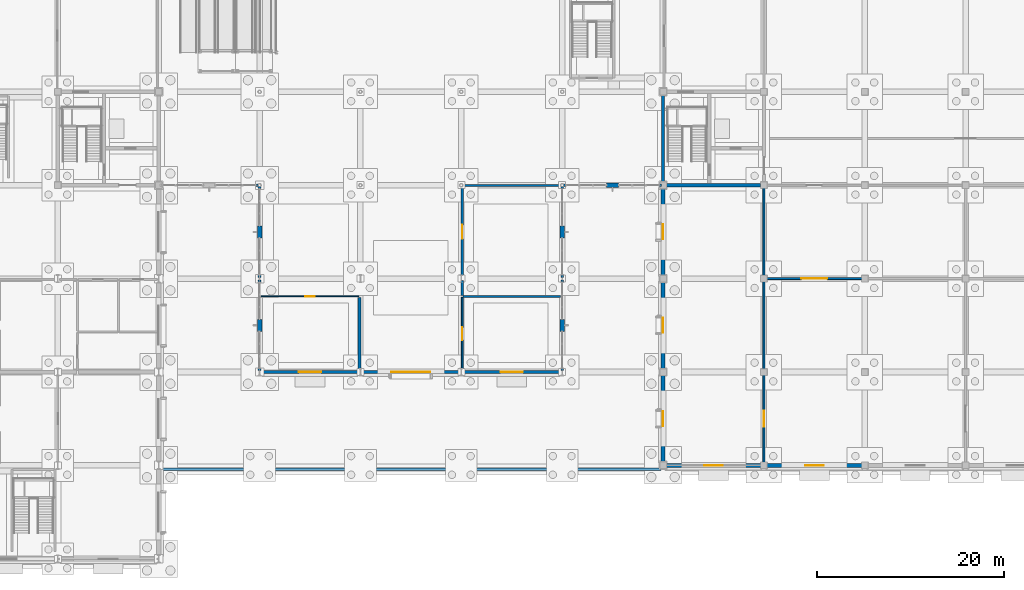
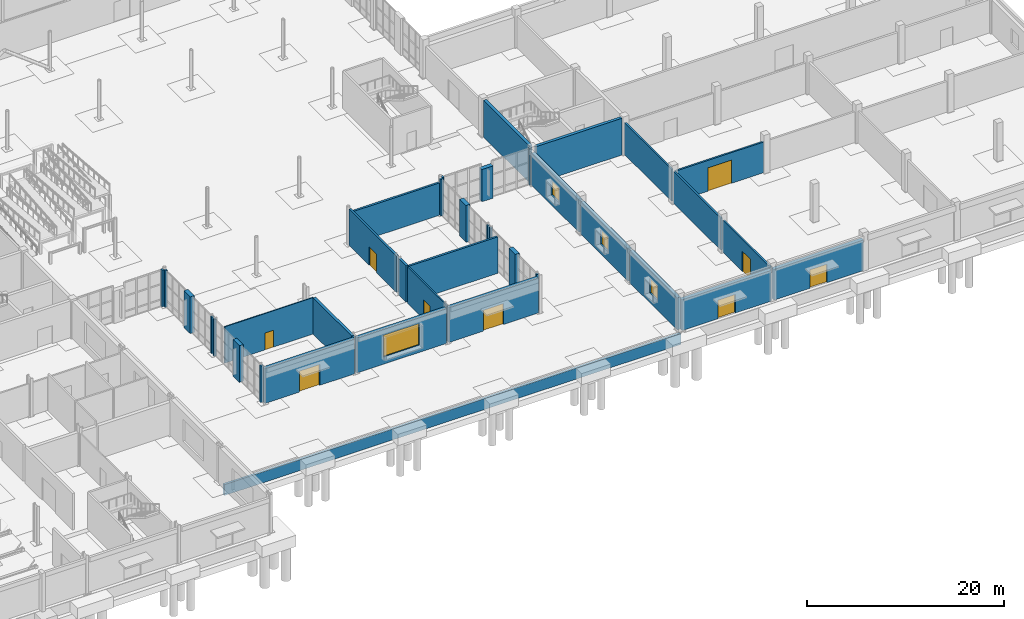
# One storey, part 53 of 73: 38 walls, 9 doors, 4 windows, 13 openings.
"""IFC4 building model written with IfcOpenShell, lengths in metres."""

from ifc_helpers import new_model, si_unit, direction, frame, frame_2d, origin, place, context, subcontext, project, spatial, rectangle, extrude, material, layer, layer_set, type_object, element, fill, save


model = new_model("IFC4")

# Units and contexts
model_context = context("Model", 3, precision=1e-05, world=origin(), true_north=direction((0.0, 1.0)))
body_context = subcontext(model_context, "Body", "Model", "MODEL_VIEW")
ifc_project = project(units=[si_unit("LENGTHUNIT", "METRE"), si_unit("AREAUNIT", "SQUARE_METRE"), si_unit("VOLUMEUNIT", "CUBIC_METRE"), si_unit("PLANEANGLEUNIT", "RADIAN"), si_unit("MASSUNIT", "GRAM", prefix="KILO")], contexts=[model_context])

# Site, building, storey
site_placement = place(None, origin())
site = spatial("IfcSite", under=ifc_project, at=site_placement, CompositionType="ELEMENT")
building_placement = place(site_placement, origin())
building = spatial("IfcBuilding", under=site, at=building_placement, Name="Tasgan Crest Museum", CompositionType="ELEMENT")
storey_placement = place(building_placement, origin())
storey = spatial("IfcBuildingStorey", under=building, at=storey_placement, Name="L00", CompositionType="ELEMENT", Elevation=0.0)

# Walls
ifc_material_1 = material(Name="Concrete C40/50", Category="concrete")
ifc_layer_1 = layer(ifc_material_1, 0.35009765625, Name="WL-CORE-350")
ifc_layer_set_1 = layer_set([ifc_layer_1], Name="Concrete C40/50")
wall_type_1 = type_object("IfcWallType", Name="WL-CORE-350", PredefinedType="SHEAR", material=ifc_layer_set_1)
wall_1_placement = place(storey_placement, frame((108.35009765625, 40.0, 0.0), z_axis=(0.0, 0.0, 1.0), x_axis=(1.0, 0.0, 0.0)))
element("IfcWall", 1, at=wall_1_placement, inside=storey, type_object=wall_type_1, Name="East Conservation Core south shear wall L00", PredefinedType="SHEAR", context=body_context, shape_type="SweptSolid", body=[
    extrude(rectangle(XDim=10.099853515625, YDim=0.35009765625, at=frame_2d((5.0498046875, 0.0))), origin(), (0.0, 0.0, 1.0), 4.56005859375),
])
wall_2_placement = place(storey_placement, frame((108.0, 40.35009765625, 0.0), z_axis=(0.0, 0.0, 1.0), x_axis=(0.0, 1.0, 0.0)))
element("IfcWall", 2, at=wall_2_placement, inside=storey, type_object=wall_type_1, Name="East Conservation Core west shear wall L00", PredefinedType="SHEAR", context=body_context, shape_type="SweptSolid", body=[
    extrude(rectangle(XDim=9.2998046875, YDim=0.35009765625, at=frame_2d((4.64990234375, 0.0))), origin(), (0.0, 0.0, 1.0), 4.56005859375),
])
ifc_material_2 = material(Name="Precast concrete C40/50", Category="concrete")
ifc_layer_2 = layer(ifc_material_2, 0.320068359375, Name="WL-EXT-CLER-320")
ifc_layer_set_2 = layer_set([ifc_layer_2], Name="Precast concrete C40/50")
wall_type_2 = type_object("IfcWallType", Name="WL-EXT-CLER-320", PredefinedType="STANDARD", material=ifc_layer_set_2)
for number, where, z_axis, x_axis, name in (
    (3, (64.429931640625, 40.0, 0.0), (0.0, 0.0, 1.0), (1.0, 0.0, 0.0), "Curtain wall jamb closure L00 JR"),
    (4, (64.800048828125, 39.85498046875, 0.0), (0.0, 0.0, 1.0), (0.0, -1.0, 0.0), "Curtain wall jamb closure L00 JL"),
    (5, (64.800048828125, 30.3701171875, 0.0), (0.0, 0.0, 1.0), (0.0, -1.0, 0.0), "Curtain wall jamb closure L00 JR"),
    (6, (64.800048828125, 29.85498046875, 0.0), (0.0, 0.0, 1.0), (0.0, -1.0, 0.0), "Curtain wall jamb closure L00 JL"),
    (7, (64.800048828125, 20.3701171875, 0.0), (0.0, 0.0, 1.0), (0.0, -1.0, 0.0), "Curtain wall jamb closure L00 JR"),
    (8, (97.199951171875, 20.14501953125, 0.0), (0.0, 0.0, 1.0), (0.0, 1.0, 0.0), "Curtain wall jamb closure L00 JL"),
    (9, (97.199951171875, 29.6298828125, 0.0), (0.0, 0.0, 1.0), (0.0, 1.0, 0.0), "Curtain wall jamb closure L00 JR"),
    (10, (97.199951171875, 30.14501953125, 0.0), (0.0, 0.0, 1.0), (0.0, 1.0, 0.0), "Curtain wall jamb closure L00 JL"),
    (11, (97.199951171875, 39.6298828125, 0.0), (0.0, 0.0, 1.0), (0.0, 1.0, 0.0), "Curtain wall jamb closure L00 JR"),
    (12, (97.344970703125, 40.0, 0.0), (0.0, 0.0, 1.0), (1.0, 0.0, 0.0), "Curtain wall jamb closure L00 JL"),
    (13, (107.6298828125, 40.0, 0.0), (0.0, 0.0, 1.0), (1.0, 0.0, 0.0), "Curtain wall jamb closure L00 JR"),
):
    element("IfcWall", number, at=place(storey_placement, frame(where, z_axis=z_axis, x_axis=x_axis)), inside=storey, type_object=wall_type_2, Name=name, PredefinedType="STANDARD", context=body_context, shape_type="SweptSolid", body=[
        extrude(rectangle(XDim=0.22509765625, YDim=0.300048828125, at=frame_2d((0.112548828125, 0.0))), origin(), (0.0, 0.0, 1.0), 4.56005859375),
    ])
ifc_material_3 = material(Name="Precast concrete C40/50", Category="concrete")
ifc_layer_3 = layer(ifc_material_3, 0.47998046875, Name="WL-EXT-GRAN-480")
ifc_layer_set_3 = layer_set([ifc_layer_3], Name="Precast concrete C40/50")
wall_type_3 = type_object("IfcWallType", Name="WL-EXT-GRAN-480", PredefinedType="STANDARD", material=ifc_layer_set_3)
for number, where, z_axis, x_axis, name in (
    (14, (64.800048828125, 35.64990234375, 0.0), (0.0, 0.0, 1.0), (0.0, -1.0, 0.0), "Postmodern facade stone pier L00"),
    (15, (64.800048828125, 25.64990234375, 0.0), (0.0, 0.0, 1.0), (0.0, -1.0, 0.0), "Postmodern facade stone pier L00"),
    (16, (97.199951171875, 24.35009765625, 0.0), (0.0, 0.0, 1.0), (0.0, 1.0, 0.0), "Postmodern facade stone pier L00"),
    (17, (97.199951171875, 34.35009765625, 0.0), (0.0, 0.0, 1.0), (0.0, 1.0, 0.0), "Postmodern facade stone pier L00"),
):
    element("IfcWall", number, at=place(storey_placement, frame(where, z_axis=z_axis, x_axis=x_axis)), inside=storey, type_object=wall_type_3, Name=name, PredefinedType="STANDARD", context=body_context, shape_type="SweptSolid", body=[
        extrude(rectangle(XDim=1.2998046875, YDim=0.47998046875, at=frame_2d((0.64990234375, 0.0))), origin(), (0.0, 0.0, 1.0), 4.56005859375),
    ])
wall_3_placement = place(storey_placement, frame((101.949951171875, 40.0, 0.0), z_axis=(0.0, 0.0, 1.0), x_axis=(1.0, 0.0, 0.0)))
element("IfcWall", 18, at=wall_3_placement, inside=storey, type_object=wall_type_3, Name="Postmodern facade stone pier L00", PredefinedType="STANDARD", context=body_context, shape_type="SweptSolid", body=[
    extrude(rectangle(XDim=1.300048828125, YDim=0.47998046875, at=frame_2d((0.64990234375, 0.0))), origin(), (0.0, 0.0, 1.0), 4.009033203125),
])

# Wall, opening, door
ifc_material_4 = material(Name="Precast concrete C40/50", Category="concrete")
ifc_layer_4 = layer(ifc_material_4, 0.360107421875, Name="WL-EXT-PORCH-360")
ifc_layer_set_4 = layer_set([ifc_layer_4], Name="Precast concrete C40/50")
wall_type_4 = type_object("IfcWallType", Name="WL-EXT-PORCH-360", PredefinedType="STANDARD", material=ifc_layer_set_4)
wall_4_placement = place(storey_placement, frame((64.945068359375, 20.0, 0.0), z_axis=(0.0, 0.0, 1.0), x_axis=(1.0, 0.0, 0.0)))
wall_4 = element("IfcWall", 19, at=wall_4_placement, inside=storey, type_object=wall_type_4, Name="Exterior wall L00 (70.2,20.0)", PredefinedType="STANDARD", context=body_context, shape_type="SweptSolid", body=[
    extrude(rectangle(XDim=10.510009765625, YDim=0.360107421875, at=frame_2d((5.2548828125, 0.0))), origin(), (0.0, 0.0, 1.0), 4.360107421875),
])
opening_1_placement = place(wall_4_placement, frame((4.054931640625, 0.0, 0.0)))
opening_1 = element("IfcOpeningElement", 20, at=opening_1_placement, cuts=wall_4, Name="Opening ED003", PredefinedType="OPENING", context=body_context, shape_type="SweptSolid", body=[
    extrude(rectangle(XDim=2.39990234375, YDim=2.60009765625, at=frame_2d((1.199951171875, 1.300048828125))), frame((0.0, 0.18994140625, 0.0), z_axis=(0.0, -1.0, 0.0), x_axis=(1.0, 0.0, 0.0)), (0.0, 0.0, 1.0), 0.380126953125),
])
ifc_material_5 = material(Name="Thermally Broken Insulated Steel and Bronze", Category="steel")
door_type_1 = type_object("IfcDoorType", Name="DR-EXT-ENTRY-2400", OperationType="NOTDEFINED", PredefinedType="DOOR", material=ifc_material_5)
door_1_placement = place(opening_1_placement, frame((2.39990234375, 0.0, 0.0), z_axis=(0.0, 0.0, 1.0), x_axis=(-1.0, 0.0, 0.0)))
door_1 = element("IfcDoor", 21, at=door_1_placement, inside=storey, type_object=door_type_1, Name="Main entrance airlock door ED003", OperationType="DOUBLE_DOOR_SINGLE_SWING", OverallHeight=2.60009765625, OverallWidth=2.39990234375, PredefinedType="DOOR", context=body_context, shape_type="SweptSolid", body=[
    extrude(rectangle(XDim=2.39990234375, YDim=2.60009765625, at=frame_2d((1.199951171875, 1.300048828125))), frame((0.0, 0.02490234375, 0.0), z_axis=(0.0, -1.0, 0.0), x_axis=(1.0, 0.0, 0.0)), (0.0, 0.0, 1.0), 0.050048828125),
])
fill(opening_1, door_1)

# Wall, opening, window
wall_5_placement = place(storey_placement, frame((75.7451171875, 20.0, 0.0), z_axis=(0.0, 0.0, 1.0), x_axis=(1.0, 0.0, 0.0)))
wall_5 = element("IfcWall", 22, at=wall_5_placement, inside=storey, type_object=wall_type_4, Name="Exterior wall L00 (81.0,20.0)", PredefinedType="STANDARD", context=body_context, shape_type="SweptSolid", body=[
    extrude(rectangle(XDim=10.509765625, YDim=0.360107421875, at=frame_2d((5.2548828125, 0.0))), origin(), (0.0, 0.0, 1.0), 4.360107421875),
])
opening_2_placement = place(wall_5_placement, frame((3.155029296875, 0.0, 0.89990234375)))
opening_2 = element("IfcOpeningElement", 23, at=opening_2_placement, cuts=wall_5, Name="Opening W03", PredefinedType="OPENING", context=body_context, shape_type="SweptSolid", body=[
    extrude(rectangle(XDim=4.199951171875, YDim=2.699951171875, at=frame_2d((2.10009765625, 1.35009765625))), frame((0.0, 0.18994140625, 0.0), z_axis=(0.0, -1.0, 0.0), x_axis=(1.0, 0.0, 0.0)), (0.0, 0.0, 1.0), 0.380126953125),
])
ifc_material_6 = material(Name="Thermally Broken Triple-Glazed Aluminium", Category="aluminium")
window_type_1 = type_object("IfcWindowType", Name="WN-CAFE-4200X2700", PartitioningType="SINGLE_PANEL", PredefinedType="WINDOW", material=ifc_material_6)
window_1_placement = place(opening_2_placement, origin())
window_1 = element("IfcWindow", 24, at=window_1_placement, inside=storey, type_object=window_type_1, Name="Window W03 L00-006", OverallHeight=2.699951171875, OverallWidth=4.199951171875, PartitioningType="SINGLE_PANEL", PredefinedType="WINDOW", context=body_context, shape_type="SweptSolid", body=[
    extrude(rectangle(XDim=4.199951171875, YDim=2.699951171875, at=frame_2d((2.10009765625, 1.35009765625))), frame((0.0, 0.030029296875, 0.0), z_axis=(0.0, -1.0, 0.0), x_axis=(1.0, 0.0, 0.0)), (0.0, 0.0, 1.0), 0.06005859375),
])
fill(opening_2, window_1)

# Wall, opening, door
wall_6_placement = place(storey_placement, frame((86.544921875, 20.0, 0.0), z_axis=(0.0, 0.0, 1.0), x_axis=(1.0, 0.0, 0.0)))
wall_6 = element("IfcWall", 25, at=wall_6_placement, inside=storey, type_object=wall_type_4, Name="Exterior wall L00 (91.8,20.0)", PredefinedType="STANDARD", context=body_context, shape_type="SweptSolid", body=[
    extrude(rectangle(XDim=10.510009765625, YDim=0.360107421875, at=frame_2d((5.2548828125, 0.0))), origin(), (0.0, 0.0, 1.0), 4.360107421875),
])
opening_3_placement = place(wall_6_placement, frame((4.054931640625, 0.0, 0.0)))
opening_3 = element("IfcOpeningElement", 26, at=opening_3_placement, cuts=wall_6, Name="Opening ED004", PredefinedType="OPENING", context=body_context, shape_type="SweptSolid", body=[
    extrude(rectangle(XDim=2.39990234375, YDim=2.60009765625, at=frame_2d((1.199951171875, 1.300048828125))), frame((0.0, 0.18994140625, 0.0), z_axis=(0.0, -1.0, 0.0), x_axis=(1.0, 0.0, 0.0)), (0.0, 0.0, 1.0), 0.380126953125),
])
door_2_placement = place(opening_3_placement, frame((2.39990234375, 0.0, 0.0), z_axis=(0.0, 0.0, 1.0), x_axis=(-1.0, 0.0, 0.0)))
door_2 = element("IfcDoor", 27, at=door_2_placement, inside=storey, type_object=door_type_1, Name="Main entrance airlock door ED004", OperationType="DOUBLE_DOOR_SINGLE_SWING", OverallHeight=2.60009765625, OverallWidth=2.39990234375, PredefinedType="DOOR", context=body_context, shape_type="SweptSolid", body=[
    extrude(rectangle(XDim=2.39990234375, YDim=2.60009765625, at=frame_2d((1.199951171875, 1.300048828125))), frame((0.0, 0.02490234375, 0.0), z_axis=(0.0, -1.0, 0.0), x_axis=(1.0, 0.0, 0.0)), (0.0, 0.0, 1.0), 0.050048828125),
])
fill(opening_3, door_2)

# Wall, opening, window
ifc_material_7 = material(Name="Precast concrete C40/50", Category="concrete")
ifc_layer_5 = layer(ifc_material_7, 0.419921875, Name="WL-EXT-SAND-420")
ifc_layer_set_5 = layer_set([ifc_layer_5], Name="Precast concrete C40/50")
wall_type_5 = type_object("IfcWallType", Name="WL-EXT-SAND-420", PredefinedType="STANDARD", material=ifc_layer_set_5)
wall_7_placement = place(storey_placement, frame((108.0, 39.85498046875, 0.0), z_axis=(0.0, 0.0, 1.0), x_axis=(0.0, -1.0, 0.0)))
wall_7 = element("IfcWall", 28, at=wall_7_placement, inside=storey, type_object=wall_type_5, Name="Exterior wall L00 (108.0,35.0)", PredefinedType="STANDARD", context=body_context, shape_type="SweptSolid", body=[
    extrude(rectangle(XDim=9.7099609375, YDim=0.419921875, at=frame_2d((4.85498046875, 0.0))), origin(), (0.0, 0.0, 1.0), 3.969970703125),
])
opening_4_placement = place(wall_7_placement, frame((4.054931640625, 0.0, 1.199951171875)))
opening_4 = element("IfcOpeningElement", 29, at=opening_4_placement, cuts=wall_7, Name="Opening W11", PredefinedType="OPENING", context=body_context, shape_type="SweptSolid", body=[
    extrude(rectangle(XDim=1.60009765625, YDim=1.800048828125, at=frame_2d((0.800048828125, 0.89990234375))), frame((0.0, 0.219970703125, 0.0), z_axis=(0.0, -1.0, 0.0), x_axis=(1.0, 0.0, 0.0)), (0.0, 0.0, 1.0), 0.43994140625),
])
ifc_material_8 = material(Name="Thermally Broken Triple-Glazed Aluminium", Category="aluminium")
window_type_2 = type_object("IfcWindowType", Name="WN-LAB-1600X1800", PartitioningType="SINGLE_PANEL", PredefinedType="WINDOW", material=ifc_material_8)
window_2_placement = place(opening_4_placement, origin())
window_2 = element("IfcWindow", 30, at=window_2_placement, inside=storey, type_object=window_type_2, Name="Window W11 L00-007", OverallHeight=1.800048828125, OverallWidth=1.60009765625, PartitioningType="SINGLE_PANEL", PredefinedType="WINDOW", context=body_context, shape_type="SweptSolid", body=[
    extrude(rectangle(XDim=1.60009765625, YDim=1.800048828125, at=frame_2d((0.800048828125, 0.89990234375))), frame((0.0, 0.030029296875, 0.0), z_axis=(0.0, -1.0, 0.0), x_axis=(1.0, 0.0, 0.0)), (0.0, 0.0, 1.0), 0.06005859375),
])
fill(opening_4, window_2)

wall_8_placement = place(storey_placement, frame((108.0, 29.85498046875, 0.0), z_axis=(0.0, 0.0, 1.0), x_axis=(0.0, -1.0, 0.0)))
wall_8 = element("IfcWall", 31, at=wall_8_placement, inside=storey, type_object=wall_type_5, Name="Exterior wall L00 (108.0,25.0)", PredefinedType="STANDARD", context=body_context, shape_type="SweptSolid", body=[
    extrude(rectangle(XDim=9.7099609375, YDim=0.419921875, at=frame_2d((4.85498046875, 0.0))), origin(), (0.0, 0.0, 1.0), 3.969970703125),
])
opening_5_placement = place(wall_8_placement, frame((4.054931640625, 0.0, 1.199951171875)))
opening_5 = element("IfcOpeningElement", 32, at=opening_5_placement, cuts=wall_8, Name="Opening W11", PredefinedType="OPENING", context=body_context, shape_type="SweptSolid", body=[
    extrude(rectangle(XDim=1.60009765625, YDim=1.800048828125, at=frame_2d((0.800048828125, 0.89990234375))), frame((0.0, 0.219970703125, 0.0), z_axis=(0.0, -1.0, 0.0), x_axis=(1.0, 0.0, 0.0)), (0.0, 0.0, 1.0), 0.43994140625),
])
window_3_placement = place(opening_5_placement, origin())
window_3 = element("IfcWindow", 33, at=window_3_placement, inside=storey, type_object=window_type_2, Name="Window W11 L00-008", OverallHeight=1.800048828125, OverallWidth=1.60009765625, PartitioningType="SINGLE_PANEL", PredefinedType="WINDOW", context=body_context, shape_type="SweptSolid", body=[
    extrude(rectangle(XDim=1.60009765625, YDim=1.800048828125, at=frame_2d((0.800048828125, 0.89990234375))), frame((0.0, 0.030029296875, 0.0), z_axis=(0.0, -1.0, 0.0), x_axis=(1.0, 0.0, 0.0)), (0.0, 0.0, 1.0), 0.06005859375),
])
fill(opening_5, window_3)

wall_9_placement = place(storey_placement, frame((108.0, 19.85498046875, 0.0), z_axis=(0.0, 0.0, 1.0), x_axis=(0.0, -1.0, 0.0)))
wall_9 = element("IfcWall", 34, at=wall_9_placement, inside=storey, type_object=wall_type_5, Name="Exterior wall L00 (108.0,15.0)", PredefinedType="STANDARD", context=body_context, shape_type="SweptSolid", body=[
    extrude(rectangle(XDim=9.7099609375, YDim=0.419921875, at=frame_2d((4.85498046875, 0.0))), origin(), (0.0, 0.0, 1.0), 3.969970703125),
])
opening_6_placement = place(wall_9_placement, frame((4.054931640625, 0.0, 1.199951171875)))
opening_6 = element("IfcOpeningElement", 35, at=opening_6_placement, cuts=wall_9, Name="Opening W11", PredefinedType="OPENING", context=body_context, shape_type="SweptSolid", body=[
    extrude(rectangle(XDim=1.60009765625, YDim=1.800048828125, at=frame_2d((0.800048828125, 0.89990234375))), frame((0.0, 0.219970703125, 0.0), z_axis=(0.0, -1.0, 0.0), x_axis=(1.0, 0.0, 0.0)), (0.0, 0.0, 1.0), 0.43994140625),
])
window_4_placement = place(opening_6_placement, origin())
window_4 = element("IfcWindow", 36, at=window_4_placement, inside=storey, type_object=window_type_2, Name="Window W11 L00-009", OverallHeight=1.800048828125, OverallWidth=1.60009765625, PartitioningType="SINGLE_PANEL", PredefinedType="WINDOW", context=body_context, shape_type="SweptSolid", body=[
    extrude(rectangle(XDim=1.60009765625, YDim=1.800048828125, at=frame_2d((0.800048828125, 0.89990234375))), frame((0.0, 0.030029296875, 0.0), z_axis=(0.0, -1.0, 0.0), x_axis=(1.0, 0.0, 0.0)), (0.0, 0.0, 1.0), 0.06005859375),
])
fill(opening_6, window_4)

# Wall, opening, door
wall_10_placement = place(storey_placement, frame((108.14501953125, 10.0, 0.0), z_axis=(0.0, 0.0, 1.0), x_axis=(1.0, 0.0, 0.0)))
wall_10 = element("IfcWall", 37, at=wall_10_placement, inside=storey, type_object=wall_type_5, Name="Exterior wall L00 (113.4,10.0)", PredefinedType="STANDARD", context=body_context, shape_type="SweptSolid", body=[
    extrude(rectangle(XDim=10.510009765625, YDim=0.419921875, at=frame_2d((5.2548828125, 0.0))), origin(), (0.0, 0.0, 1.0), 3.819091796875),
])
opening_7_placement = place(wall_10_placement, frame((4.2548828125, 0.0, 0.0)))
opening_7 = element("IfcOpeningElement", 38, at=opening_7_placement, cuts=wall_10, Name="Opening ED005", PredefinedType="OPENING", context=body_context, shape_type="SweptSolid", body=[
    extrude(rectangle(XDim=2.0, YDim=2.300048828125, at=frame_2d((1.0, 1.14990234375))), frame((0.0, 0.219970703125, 0.0), z_axis=(0.0, -1.0, 0.0), x_axis=(1.0, 0.0, 0.0)), (0.0, 0.0, 1.0), 0.43994140625),
])
ifc_material_9 = material(Name="Thermally Broken Insulated Steel and Bronze", Category="steel")
door_type_2 = type_object("IfcDoorType", Name="DR-EXT-EXIT-2000", OperationType="NOTDEFINED", PredefinedType="DOOR", material=ifc_material_9)
door_3_placement = place(opening_7_placement, frame((2.0, 0.0, 0.0), z_axis=(0.0, 0.0, 1.0), x_axis=(-1.0, 0.0, 0.0)))
door_3 = element("IfcDoor", 39, at=door_3_placement, inside=storey, type_object=door_type_2, Name="South-east exit discharge door ED005", OperationType="DOUBLE_DOOR_SINGLE_SWING", OverallHeight=2.300048828125, OverallWidth=2.0, PredefinedType="DOOR", context=body_context, shape_type="SweptSolid", body=[
    extrude(rectangle(XDim=2.0, YDim=2.300048828125, at=frame_2d((1.0, 1.14990234375))), frame((0.0, 0.02490234375, 0.0), z_axis=(0.0, -1.0, 0.0), x_axis=(1.0, 0.0, 0.0)), (0.0, 0.0, 1.0), 0.050048828125),
])
fill(opening_7, door_3)

wall_11_placement = place(storey_placement, frame((118.945068359375, 10.0, 0.0), z_axis=(0.0, 0.0, 1.0), x_axis=(1.0, 0.0, 0.0)))
wall_11 = element("IfcWall", 40, at=wall_11_placement, inside=storey, type_object=wall_type_5, Name="Exterior wall L00 (124.2,10.0)", PredefinedType="STANDARD", context=body_context, shape_type="SweptSolid", body=[
    extrude(rectangle(XDim=10.510009765625, YDim=0.419921875, at=frame_2d((5.2548828125, 0.0))), origin(), (0.0, 0.0, 1.0), 3.819091796875),
])
opening_8_placement = place(wall_11_placement, frame((4.2548828125, 0.0, 0.0)))
opening_8 = element("IfcOpeningElement", 41, at=opening_8_placement, cuts=wall_11, Name="Opening ED006", PredefinedType="OPENING", context=body_context, shape_type="SweptSolid", body=[
    extrude(rectangle(XDim=2.0, YDim=2.300048828125, at=frame_2d((1.0, 1.14990234375))), frame((0.0, 0.219970703125, 0.0), z_axis=(0.0, -1.0, 0.0), x_axis=(1.0, 0.0, 0.0)), (0.0, 0.0, 1.0), 0.43994140625),
])
door_4_placement = place(opening_8_placement, frame((2.0, 0.0, 0.0), z_axis=(0.0, 0.0, 1.0), x_axis=(-1.0, 0.0, 0.0)))
door_4 = element("IfcDoor", 42, at=door_4_placement, inside=storey, type_object=door_type_2, Name="East courtyard exit discharge door ED006", OperationType="DOUBLE_DOOR_SINGLE_SWING", OverallHeight=2.300048828125, OverallWidth=2.0, PredefinedType="DOOR", context=body_context, shape_type="SweptSolid", body=[
    extrude(rectangle(XDim=2.0, YDim=2.300048828125, at=frame_2d((1.0, 1.14990234375))), frame((0.0, 0.02490234375, 0.0), z_axis=(0.0, -1.0, 0.0), x_axis=(1.0, 0.0, 0.0)), (0.0, 0.0, 1.0), 0.050048828125),
])
fill(opening_8, door_4)

ifc_material_10 = material(Name="Concrete C40/50", Category="concrete")
ifc_layer_6 = layer(ifc_material_10, 0.199951171875, Name="WL-FIRE-200")
ifc_layer_set_6 = layer_set([ifc_layer_6], Name="Concrete C40/50")
wall_type_6 = type_object("IfcWallType", Name="WL-FIRE-200", PredefinedType="SOLIDWALL", material=ifc_layer_set_6)
wall_12_placement = place(storey_placement, frame((118.97998046875, 30.0, 0.0), z_axis=(0.0, 0.0, 1.0), x_axis=(1.0, 0.0, 0.0)))
wall_12 = element("IfcWall", 43, at=wall_12_placement, inside=storey, type_object=wall_type_6, Name="Partition Crate Unpacking and Staging Airlock / Wet Conservation Laboratory L00", PredefinedType="SOLIDWALL", context=body_context, shape_type="SweptSolid", body=[
    extrude(rectangle(XDim=10.419921875, YDim=0.199951171875, at=frame_2d((5.2099609375, 0.0))), origin(), (0.0, 0.0, 1.0), 3.819091796875),
])
opening_9_placement = place(wall_12_placement, frame((3.81005859375, 0.0, 0.0)))
opening_9 = element("IfcOpeningElement", 44, at=opening_9_placement, cuts=wall_12, Name="Opening D004", PredefinedType="OPENING", context=body_context, shape_type="SweptSolid", body=[
    extrude(rectangle(XDim=2.800048828125, YDim=2.89990234375, at=frame_2d((1.39990234375, 1.449951171875))), frame((0.0, 0.10986328125, 0.0), z_axis=(0.0, -1.0, 0.0), x_axis=(1.0, 0.0, 0.0)), (0.0, 0.0, 1.0), 0.219970703125),
])
ifc_material_11 = material(Name="Artifact Staging Security Grille Gate")
door_type_3 = type_object("IfcDoorType", Name="GT-LOG-2800", OperationType="NOTDEFINED", PredefinedType="GATE", material=ifc_material_11)
door_5_placement = place(opening_9_placement, origin())
door_5 = element("IfcDoor", 45, at=door_5_placement, inside=storey, type_object=door_type_3, Name="Crate Unpacking and Staging Airlock door D004", OperationType="DOUBLE_DOOR_SINGLE_SWING", OverallHeight=2.89990234375, OverallWidth=2.800048828125, PredefinedType="GATE", context=body_context, shape_type="SweptSolid", body=[
    extrude(rectangle(XDim=2.800048828125, YDim=2.89990234375, at=frame_2d((1.39990234375, 1.449951171875))), frame((0.0, 0.02490234375, 0.0), z_axis=(0.0, -1.0, 0.0), x_axis=(1.0, 0.0, 0.0)), (0.0, 0.0, 1.0), 0.050048828125),
])
fill(opening_9, door_5)

wall_13_placement = place(storey_placement, frame((118.800048828125, 10.179931640625, 0.0), z_axis=(0.0, 0.0, 1.0), x_axis=(0.0, 1.0, 0.0)))
wall_13 = element("IfcWall", 46, at=wall_13_placement, inside=storey, type_object=wall_type_6, Name="Partition Crate Unpacking and Staging Airlock / Quarantine Conservation Laboratory L00", PredefinedType="SOLIDWALL", context=body_context, shape_type="SweptSolid", body=[
    extrude(rectangle(XDim=9.6201171875, YDim=0.199951171875, at=frame_2d((4.81005859375, 0.0))), origin(), (0.0, 0.0, 1.0), 3.969970703125),
])
opening_10_placement = place(wall_13_placement, frame((3.969970703125, 0.0, 0.0)))
opening_10 = element("IfcOpeningElement", 47, at=opening_10_placement, cuts=wall_13, Name="Opening D028", PredefinedType="OPENING", context=body_context, shape_type="SweptSolid", body=[
    extrude(rectangle(XDim=1.679931640625, YDim=2.52001953125, at=frame_2d((0.83984375, 1.260009765625))), frame((0.0, 0.10986328125, 0.0), z_axis=(0.0, -1.0, 0.0), x_axis=(1.0, 0.0, 0.0)), (0.0, 0.0, 1.0), 0.219970703125),
])
ifc_material_12 = material(Name="Oak and Brushed Bronze Acoustic Door")
door_type_4 = type_object("IfcDoorType", Name="DR-SCH-28", OperationType="NOTDEFINED", PredefinedType="DOOR", material=ifc_material_12)
door_6_placement = place(opening_10_placement, origin())
door_6 = element("IfcDoor", 48, at=door_6_placement, inside=storey, type_object=door_type_4, Name="Quarantine Conservation Laboratory door D028", OperationType="SINGLE_SWING_LEFT", OverallHeight=2.52001953125, OverallWidth=1.679931640625, PredefinedType="DOOR", context=body_context, shape_type="SweptSolid", body=[
    extrude(rectangle(XDim=1.679931640625, YDim=2.52001953125, at=frame_2d((0.83984375, 1.260009765625))), frame((0.0, 0.02490234375, 0.0), z_axis=(0.0, -1.0, 0.0), x_axis=(1.0, 0.0, 0.0)), (0.0, 0.0, 1.0), 0.050048828125),
])
fill(opening_10, door_6)

# Walls
wall_14_placement = place(storey_placement, frame((118.800048828125, 20.199951171875, 0.0), z_axis=(0.0, 0.0, 1.0), x_axis=(0.0, 1.0, 0.0)))
element("IfcWall", 49, at=wall_14_placement, inside=storey, type_object=wall_type_6, Name="Partition Crate Unpacking and Staging Airlock / Quarantine Conservation Laboratory L00", PredefinedType="SOLIDWALL", context=body_context, shape_type="SweptSolid", body=[
    extrude(rectangle(XDim=9.60009765625, YDim=0.199951171875, at=frame_2d((4.800048828125, 0.0))), origin(), (0.0, 0.0, 1.0), 3.969970703125),
])
wall_15_placement = place(storey_placement, frame((118.800048828125, 30.199951171875, 0.0), z_axis=(0.0, 0.0, 1.0), x_axis=(0.0, 1.0, 0.0)))
element("IfcWall", 50, at=wall_15_placement, inside=storey, type_object=wall_type_6, Name="Partition Quarantine Conservation Laboratory / Wet Conservation Laboratory L00", PredefinedType="SOLIDWALL", context=body_context, shape_type="SweptSolid", body=[
    extrude(rectangle(XDim=9.6201171875, YDim=0.199951171875, at=frame_2d((4.81005859375, 0.0))), origin(), (0.0, 0.0, 1.0), 3.969970703125),
])
ifc_material_13 = material(Name="Concrete C40/50", Category="concrete")
ifc_layer_7 = layer(ifc_material_13, 0.239990234375, Name="WL-FIRE-240")
ifc_layer_set_7 = layer_set([ifc_layer_7], Name="Concrete C40/50")
wall_type_7 = type_object("IfcWallType", Name="WL-FIRE-240", PredefinedType="SOLIDWALL", material=ifc_layer_set_7)
wall_16_placement = place(storey_placement, frame((86.5, 28.199951171875, 0.0), z_axis=(0.0, 0.0, 1.0), x_axis=(0.0, 1.0, 0.0)))
element("IfcWall", 51, at=wall_16_placement, inside=storey, type_object=wall_type_7, Name="Partition Ticketing Hall and Cloakroom / Fire Command Centre L00", PredefinedType="SOLIDWALL", context=body_context, shape_type="SweptSolid", body=[
    extrude(rectangle(XDim=1.60009765625, YDim=0.239990234375, at=frame_2d((0.800048828125, 0.0))), origin(), (0.0, 0.0, 1.0), 4.52001953125),
])

# Wall, opening, door
wall_17_placement = place(storey_placement, frame((86.5, 30.199951171875, 0.0), z_axis=(0.0, 0.0, 1.0), x_axis=(0.0, 1.0, 0.0)))
wall_17 = element("IfcWall", 52, at=wall_17_placement, inside=storey, type_object=wall_type_7, Name="Partition Ticketing Hall and Cloakroom / Fire Command Centre L00", PredefinedType="SOLIDWALL", context=body_context, shape_type="SweptSolid", body=[
    extrude(rectangle(XDim=9.6201171875, YDim=0.239990234375, at=frame_2d((4.81005859375, 0.0))), origin(), (0.0, 0.0, 1.0), 4.52001953125),
])
opening_11_placement = place(wall_17_placement, frame((4.06005859375, 0.0, 0.0)))
opening_11 = element("IfcOpeningElement", 53, at=opening_11_placement, cuts=wall_17, Name="Opening D026", PredefinedType="OPENING", context=body_context, shape_type="SweptSolid", body=[
    extrude(rectangle(XDim=1.5, YDim=2.300048828125, at=frame_2d((0.75, 1.14990234375))), frame((0.0, 0.1298828125, 0.0), z_axis=(0.0, -1.0, 0.0), x_axis=(1.0, 0.0, 0.0)), (0.0, 0.0, 1.0), 0.260009765625),
])
ifc_material_14 = material(Name="Louvred Steel Plant Room Door", Category="steel")
door_type_5 = type_object("IfcDoorType", Name="DR-PLANT-1500", OperationType="NOTDEFINED", PredefinedType="DOOR", material=ifc_material_14)
door_7_placement = place(opening_11_placement, origin())
door_7 = element("IfcDoor", 54, at=door_7_placement, inside=storey, type_object=door_type_5, Name="Fire Command Centre door D026", OperationType="SINGLE_SWING_RIGHT", OverallHeight=2.300048828125, OverallWidth=1.5, PredefinedType="DOOR", context=body_context, shape_type="SweptSolid", body=[
    extrude(rectangle(XDim=1.5, YDim=2.300048828125, at=frame_2d((0.75, 1.14990234375))), frame((0.0, 0.02490234375, 0.0), z_axis=(0.0, -1.0, 0.0), x_axis=(1.0, 0.0, 0.0)), (0.0, 0.0, 1.0), 0.050048828125),
])
fill(opening_11, door_7)

# Walls
wall_18_placement = place(storey_placement, frame((86.60009765625, 28.10009765625, 0.0), z_axis=(0.0, 0.0, 1.0), x_axis=(1.0, 0.0, 0.0)))
element("IfcWall", 55, at=wall_18_placement, inside=storey, type_object=wall_type_7, Name="Partition East Entrance Airlock Tambur / Fire Command Centre L00", PredefinedType="SOLIDWALL", context=body_context, shape_type="SweptSolid", body=[
    extrude(rectangle(XDim=10.419921875, YDim=0.239990234375, at=frame_2d((5.2099609375, 0.0))), origin(), (0.0, 0.0, 1.0), 4.52001953125),
])
wall_19_placement = place(storey_placement, frame((86.60009765625, 39.97509765625, 0.0), z_axis=(0.0, 0.0, 1.0), x_axis=(1.0, 0.0, 0.0)))
element("IfcWall", 56, at=wall_19_placement, inside=storey, type_object=wall_type_7, Name="Partition Fire Command Centre / Winter-Garden Atrium Concourse L00", PredefinedType="SOLIDWALL", context=body_context, shape_type="SweptSolid", body=[
    extrude(rectangle(XDim=10.419921875, YDim=0.239990234375, at=frame_2d((5.2099609375, 0.0))), origin(), (0.0, 0.0, 1.0), 4.009033203125),
])
ifc_material_15 = material(Name="Precast concrete C40/50", Category="concrete")
ifc_layer_8 = layer(ifc_material_15, 0.260009765625, Name="WL-PARAPET-260")
ifc_layer_set_8 = layer_set([ifc_layer_8], Name="Precast concrete C40/50")
wall_type_8 = type_object("IfcWallType", Name="WL-PARAPET-260", PredefinedType="PARAPET", material=ifc_layer_set_8)
wall_20_placement = place(storey_placement, frame((54.199951171875, 9.570068359375, -1.3798828125), z_axis=(0.0, 0.0, 1.0), x_axis=(1.0, 0.0, 0.0)))
element("IfcWall", 57, at=wall_20_placement, inside=storey, type_object=wall_type_8, Name="Stepped hillside stone plinth S-FORE", PredefinedType="PARAPET", context=body_context, shape_type="SweptSolid", body=[
    extrude(rectangle(XDim=53.60009765625, YDim=0.260009765625, at=frame_2d((26.800048828125, 0.0))), origin(), (0.0, 0.0, 1.0), 1.35986328125),
])

# Wall, opening, door
ifc_material_16 = material(Name="Gypsum Acoustic Museum Partition")
ifc_layer_9 = layer(ifc_material_16, 0.110107421875, Name="WL-SCH-01")
ifc_layer_set_9 = layer_set([ifc_layer_9], Name="Gypsum Acoustic Museum Partition")
wall_type_9 = type_object("IfcWallType", Name="WL-SCH-01", PredefinedType="PARTITIONING", material=ifc_layer_set_9)
wall_21_placement = place(storey_placement, frame((64.97998046875, 28.10009765625, 0.0), z_axis=(0.0, 0.0, 1.0), x_axis=(1.0, 0.0, 0.0)))
wall_21 = element("IfcWall", 58, at=wall_21_placement, inside=storey, type_object=wall_type_9, Name="Partition West Entrance Airlock Tambur / Visitor Orientation Vestibule L00", PredefinedType="PARTITIONING", context=body_context, shape_type="SweptSolid", body=[
    extrude(rectangle(XDim=10.419921875, YDim=0.110107421875, at=frame_2d((5.2099609375, 0.0))), origin(), (0.0, 0.0, 1.0), 4.52001953125),
])
opening_12_placement = place(wall_21_placement, frame((4.699951171875, 0.0, 0.0)))
opening_12 = element("IfcOpeningElement", 59, at=opening_12_placement, cuts=wall_21, Name="Opening D001", PredefinedType="OPENING", context=body_context, shape_type="SweptSolid", body=[
    extrude(rectangle(XDim=1.02001953125, YDim=2.10009765625, at=frame_2d((0.510009765625, 1.050048828125))), frame((0.0, 0.06494140625, 0.0), z_axis=(0.0, -1.0, 0.0), x_axis=(1.0, 0.0, 0.0)), (0.0, 0.0, 1.0), 0.130126953125),
])
ifc_material_17 = material(Name="Oak and Brushed Bronze Acoustic Door")
door_type_6 = type_object("IfcDoorType", Name="DR-SCH-01", OperationType="NOTDEFINED", PredefinedType="DOOR", material=ifc_material_17)
door_8_placement = place(opening_12_placement, origin())
door_8 = element("IfcDoor", 60, at=door_8_placement, inside=storey, type_object=door_type_6, Name="West Entrance Airlock Tambur door D001", OperationType="SINGLE_SWING_RIGHT", OverallHeight=2.10009765625, OverallWidth=1.02001953125, PredefinedType="DOOR", context=body_context, shape_type="SweptSolid", body=[
    extrude(rectangle(XDim=1.02001953125, YDim=2.10009765625, at=frame_2d((0.510009765625, 1.050048828125))), frame((0.0, 0.02490234375, 0.0), z_axis=(0.0, -1.0, 0.0), x_axis=(1.0, 0.0, 0.0)), (0.0, 0.0, 1.0), 0.050048828125),
])
fill(opening_12, door_8)

ifc_material_18 = material(Name="Gypsum Acoustic Museum Partition")
ifc_layer_10 = layer(ifc_material_18, 0.169921875, Name="WL-SCH-04")
ifc_layer_set_10 = layer_set([ifc_layer_10], Name="Gypsum Acoustic Museum Partition")
wall_type_10 = type_object("IfcWallType", Name="WL-SCH-04", PredefinedType="PARTITIONING", material=ifc_layer_set_10)
wall_22_placement = place(storey_placement, frame((86.5, 20.179931640625, 0.0), z_axis=(0.0, 0.0, 1.0), x_axis=(0.0, 1.0, 0.0)))
wall_22 = element("IfcWall", 61, at=wall_22_placement, inside=storey, type_object=wall_type_10, Name="Partition East Entrance Airlock Tambur / Ticketing Hall and Cloakroom L00", PredefinedType="PARTITIONING", context=body_context, shape_type="SweptSolid", body=[
    extrude(rectangle(XDim=7.820068359375, YDim=0.169921875, at=frame_2d((3.91015625, 0.0))), origin(), (0.0, 0.0, 1.0), 4.52001953125),
])
opening_13_placement = place(wall_22_placement, frame((3.219970703125, 0.0, 0.0)))
opening_13 = element("IfcOpeningElement", 62, at=opening_13_placement, cuts=wall_22, Name="Opening D025", PredefinedType="OPENING", context=body_context, shape_type="SweptSolid", body=[
    extrude(rectangle(XDim=1.3798828125, YDim=2.3798828125, at=frame_2d((0.68994140625, 1.18994140625))), frame((0.0, 0.094970703125, 0.0), z_axis=(0.0, -1.0, 0.0), x_axis=(1.0, 0.0, 0.0)), (0.0, 0.0, 1.0), 0.18994140625),
])
ifc_material_19 = material(Name="Oak and Brushed Bronze Acoustic Door")
door_type_7 = type_object("IfcDoorType", Name="DR-SCH-25", OperationType="NOTDEFINED", PredefinedType="DOOR", material=ifc_material_19)
door_9_placement = place(opening_13_placement, origin())
door_9 = element("IfcDoor", 63, at=door_9_placement, inside=storey, type_object=door_type_7, Name="East Entrance Airlock Tambur door D025", OperationType="SINGLE_SWING_LEFT", OverallHeight=2.3798828125, OverallWidth=1.3798828125, PredefinedType="DOOR", context=body_context, shape_type="SweptSolid", body=[
    extrude(rectangle(XDim=1.3798828125, YDim=2.3798828125, at=frame_2d((0.68994140625, 1.18994140625))), frame((0.0, 0.02490234375, 0.0), z_axis=(0.0, -1.0, 0.0), x_axis=(1.0, 0.0, 0.0)), (0.0, 0.0, 1.0), 0.050048828125),
])
fill(opening_13, door_9)

# Wall
ifc_material_20 = material(Name="Gypsum Acoustic Museum Partition")
ifc_layer_11 = layer(ifc_material_20, 0.31005859375, Name="WL-SCH-10")
ifc_layer_set_11 = layer_set([ifc_layer_11], Name="Gypsum Acoustic Museum Partition")
wall_type_11 = type_object("IfcWallType", Name="WL-SCH-10", PredefinedType="PARTITIONING", material=ifc_layer_set_11)
wall_23_placement = place(storey_placement, frame((75.5, 20.179931640625, 0.0), z_axis=(0.0, 0.0, 1.0), x_axis=(0.0, 1.0, 0.0)))
element("IfcWall", 64, at=wall_23_placement, inside=storey, type_object=wall_type_11, Name="Partition West Entrance Airlock Tambur / Ticketing Hall and Cloakroom L00", PredefinedType="PARTITIONING", context=body_context, shape_type="SweptSolid", body=[
    extrude(rectangle(XDim=7.820068359375, YDim=0.31005859375, at=frame_2d((3.91015625, 0.0))), origin(), (0.0, 0.0, 1.0), 4.52001953125),
])

save(model, "model.ifc")
